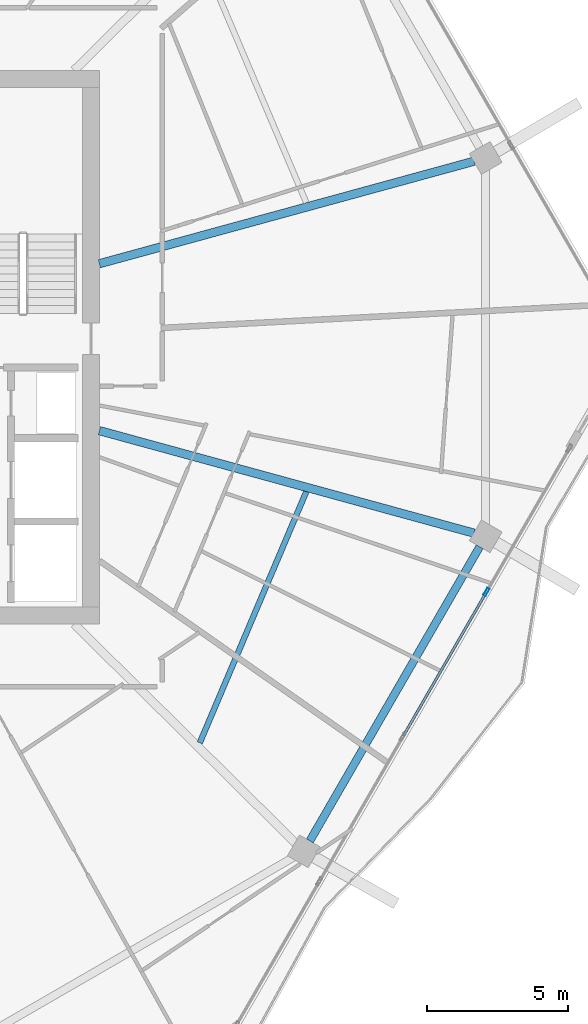
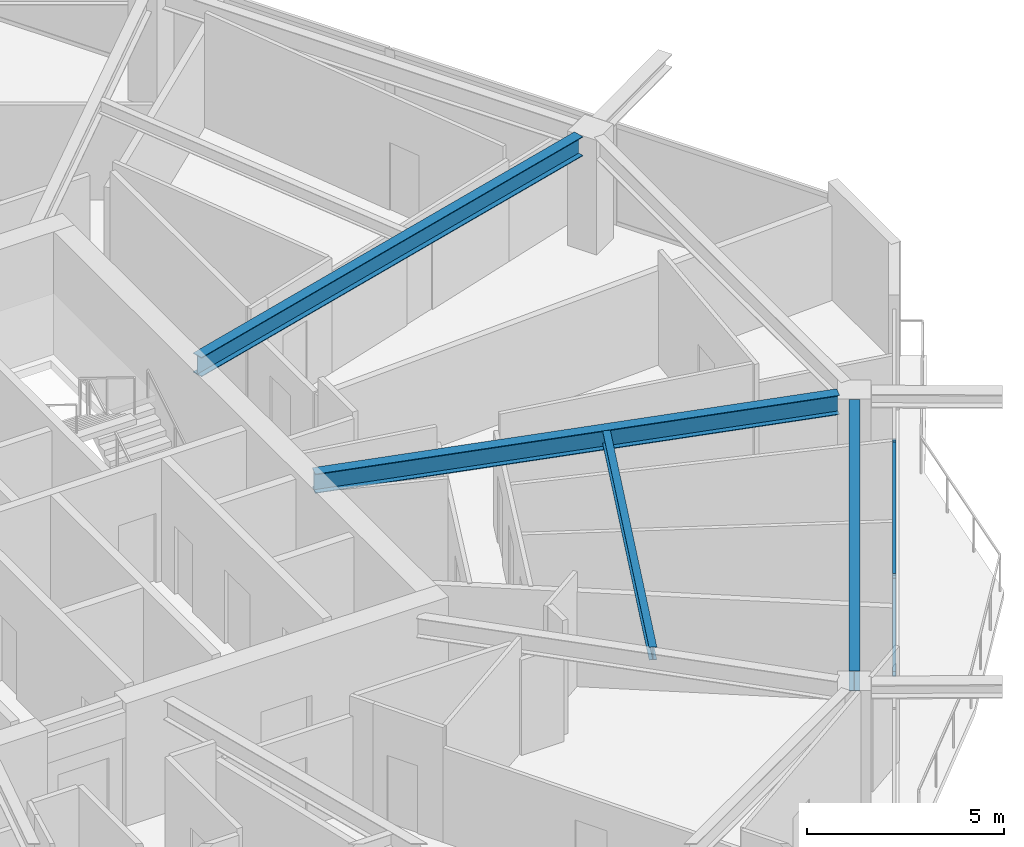
# One storey, part 9 of 26: 4 beams, 3 members, 1 element without a shape of its own.
"""IFC4 building model written with IfcOpenShell, lengths in metres."""

from ifc_helpers import new_model, si_unit, direction, frame, origin, origin_2d, place, context, subcontext, project, spatial, hollow_rectangle, i_section, extrude, material, material_profile, profile_set, type_object, element, aggregate, save


model = new_model("IFC4")

# Units and contexts
model_context = context("Model", 3, precision=1e-05, world=origin(), true_north=direction((0.0, 1.0)))
body_context = subcontext(model_context, "Body", "Model", "MODEL_VIEW")
ifc_project = project(units=[si_unit("LENGTHUNIT", "METRE"), si_unit("AREAUNIT", "SQUARE_METRE"), si_unit("VOLUMEUNIT", "CUBIC_METRE"), si_unit("PLANEANGLEUNIT", "RADIAN"), si_unit("MASSUNIT", "GRAM", prefix="KILO")], contexts=[model_context])

# Site, building, storey
site_placement = place(None, origin())
site = spatial("IfcSite", under=ifc_project, at=site_placement, CompositionType="ELEMENT")
building_placement = place(site_placement, origin())
building = spatial("IfcBuilding", under=site, at=building_placement, Name="Zuhravey Tower", CompositionType="ELEMENT")
storey_placement = place(building_placement, frame((0.0, 0.0, 280.60009765625)))
storey = spatial("IfcBuildingStorey", under=building, at=storey_placement, Name="L71", CompositionType="ELEMENT", Elevation=280.60009765625)

# Curtain wall, members
ifc_material_1 = material(Name="Thermally broken anodised aluminium", Category="aluminium")
curtain_wall_type = type_object("IfcCurtainWallType", Name="Zone 3-4 High-Rise Curtain Wall CW4", PredefinedType="NOTDEFINED", material=ifc_material_1)
curtain_wall_placement = place(storey_placement, origin())
curtain_wall = element("IfcCurtainWall", 1, at=curtain_wall_placement, inside=storey, type_object=curtain_wall_type, Name="L71 CW4 CW-L71-F6-1", PredefinedType="NOTDEFINED")
ifc_material_2 = material(Name="Anodised aluminium", Category="aluminium")
ifc_material_profile_1 = material_profile(ifc_material_2, hollow_rectangle(XDim=0.090087890625, YDim=0.284912109375, WallThickness=0.0048828125, at=origin_2d()), Name="ALU-RHS-90x285x5")
ifc_profile_set_1 = profile_set([ifc_material_profile_1], Name="Anodised aluminium")
member_type_1 = type_object("IfcMemberType", Name="Curtain-Wall Mullion 90x180", PredefinedType="MULLION", material=ifc_profile_set_1)
member_1_placement = place(storey_placement, frame((60.5107421875, 23.326416015625, 0.0), z_axis=(0.0, 0.0, 1.0), x_axis=(0.866024370591, -0.500001789539, 0.0)))
member_1 = element("IfcMember", 2, at=member_1_placement, type_object=member_type_1, Name="CW4 mullion 2", PredefinedType="MULLION", context=body_context, shape_type="SweptSolid", body=[
    extrude(hollow_rectangle(XDim=0.090087890625, YDim=0.284912109375, WallThickness=0.0048828125, at=origin_2d()), origin(), (0.0, 0.0, 1.0), 3.121826171875),
])
ifc_material_profile_2 = material_profile(ifc_material_2, hollow_rectangle(XDim=0.090087890625, YDim=0.14990234375, WallThickness=0.0048828125, at=origin_2d()), Name="ALU-RHS-90x150x5")
ifc_profile_set_2 = profile_set([ifc_material_profile_2], Name="Anodised aluminium")
member_type_2 = type_object("IfcMemberType", Name="Curtain-Wall Transom 90x150", PredefinedType="USERDEFINED", material=ifc_profile_set_2)
member_2_placement = place(storey_placement, frame((60.48828125, 23.28759765625, 0.044921875), z_axis=(-0.500004036004, -0.866023073584, 0.0), x_axis=(0.866023073584, -0.500004036004, 0.0)))
member_2 = element("IfcMember", 3, at=member_2_placement, type_object=member_type_2, Name="CW4 transom 2.1", ObjectType="TRANSOM", PredefinedType="USERDEFINED", context=body_context, shape_type="SweptSolid", body=[
    extrude(hollow_rectangle(XDim=0.090087890625, YDim=0.14990234375, WallThickness=0.0048828125, at=origin_2d()), origin(), (0.0, 0.0, 1.0), 5.8291015625),
])
member_3_placement = place(storey_placement, frame((60.48828125, 23.28759765625, 3.076904296875), z_axis=(-0.500004036004, -0.866023073584, 0.0), x_axis=(0.866023073584, -0.500004036004, 0.0)))
member_3 = element("IfcMember", 4, at=member_3_placement, type_object=member_type_2, Name="CW4 transom 2.2", ObjectType="TRANSOM", PredefinedType="USERDEFINED", context=body_context, shape_type="SweptSolid", body=[
    extrude(hollow_rectangle(XDim=0.090087890625, YDim=0.14990234375, WallThickness=0.0048828125, at=origin_2d()), origin(), (0.0, 0.0, 1.0), 5.8291015625),
])
aggregate(curtain_wall, [member_1, member_2, member_3])

# Beams
ifc_material_3 = material(Name="Steel SM355", Category="steel")
ifc_material_profile_3 = material_profile(ifc_material_3, i_section(OverallWidth=0.280029296875, OverallDepth=0.6201171875, WebThickness=0.011962890625, FlangeThickness=0.02001953125, at=origin_2d()), Name="H-620x280x12x20")
ifc_profile_set_3 = profile_set([ifc_material_profile_3], Name="Steel SM355")
beam_type_1 = type_object("IfcBeamType", Name="Perimeter Ring Beam H620x280", PredefinedType="BEAM", material=ifc_profile_set_3)
beam_1_placement = place(storey_placement, frame((54.257568359375, 14.515869140625, 3.239990234375), z_axis=(0.500005971936, 0.866021955858, 0.0), x_axis=(-0.866021955858, 0.500005971936, 0.0)))
element("IfcBeam", 5, at=beam_1_placement, inside=storey, type_object=beam_type_1, Name="L71 PB3 BM-L71-PB-11", PredefinedType="BEAM", context=body_context, shape_type="SweptSolid", body=[
    extrude(i_section(OverallWidth=0.280029296875, OverallDepth=0.6201171875, WebThickness=0.011962890625, FlangeThickness=0.02001953125, at=origin_2d()), origin(), (0.0, 0.0, 1.0), 12.025634765625),
])
ifc_material_profile_4 = material_profile(ifc_material_3, i_section(OverallWidth=0.300048828125, OverallDepth=0.60009765625, WebThickness=0.011962890625, FlangeThickness=0.02001953125, at=origin_2d()), Name="H-600x300x12x20")
ifc_profile_set_4 = profile_set([ifc_material_profile_4], Name="Steel SM355")
beam_type_2 = type_object("IfcBeamType", Name="Radial Primary Girder H600x300", PredefinedType="BEAM", material=ifc_profile_set_4)
for number, where, z_axis, x_axis, name in (
    (6, (46.802978515625, 34.95556640625, 3.25), (0.964549305009, 0.263902705947, 0.0), (-0.263902705947, 0.964549305009, 0.0), "L71 RG3 BM-L71-RAD-01"),
    (7, (46.802978515625, 29.04443359375, 3.25), (0.964549305009, -0.263902705947, 0.0), (0.263902705947, 0.964549305009, 0.0), "L71 RG3 BM-L71-RAD-12"),
):
    element("IfcBeam", number, at=place(storey_placement, frame(where, z_axis=z_axis, x_axis=x_axis)), inside=storey, type_object=beam_type_2, Name=name, PredefinedType="BEAM", context=body_context, shape_type="SweptSolid", body=[
        extrude(i_section(OverallWidth=0.300048828125, OverallDepth=0.60009765625, WebThickness=0.011962890625, FlangeThickness=0.02001953125, at=origin_2d()), origin(), (0.0, 0.0, 1.0), 13.756591796875),
    ])
ifc_material_profile_5 = material_profile(ifc_material_3, i_section(OverallWidth=0.199951171875, OverallDepth=0.39990234375, WebThickness=0.008056640625, FlangeThickness=0.012939453125, at=origin_2d()), Name="H-400x200x8x13")
ifc_profile_set_5 = profile_set([ifc_material_profile_5], Name="Steel SM355")
beam_type_3 = type_object("IfcBeamType", Name="Secondary Floor Joist H400x200", PredefinedType="JOIST", material=ifc_profile_set_5)
beam_2_placement = place(storey_placement, frame((50.36083984375, 17.990966796875, 3.349853515625), z_axis=(0.390413493754, 0.920639616731, 0.0), x_axis=(-0.920639616731, 0.390413493754, 0.0)))
element("IfcBeam", 8, at=beam_2_placement, inside=storey, type_object=beam_type_3, Name="L71 SJ2 BM-L71-SJ-11-1", PredefinedType="JOIST", context=body_context, shape_type="SweptSolid", body=[
    extrude(i_section(OverallWidth=0.199951171875, OverallDepth=0.39990234375, WebThickness=0.008056640625, FlangeThickness=0.012939453125, at=origin_2d()), origin(), (0.0, 0.0, 1.0), 9.656494140625),
])

save(model, "model.ifc")
